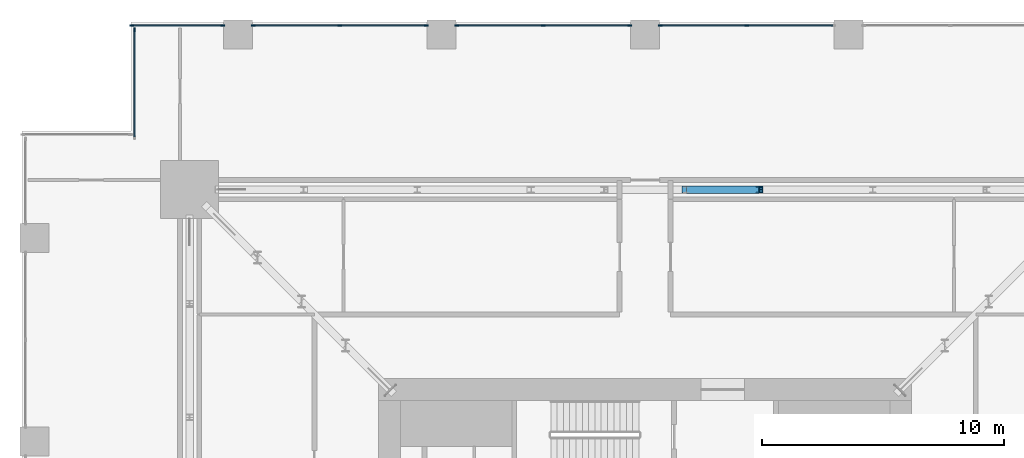
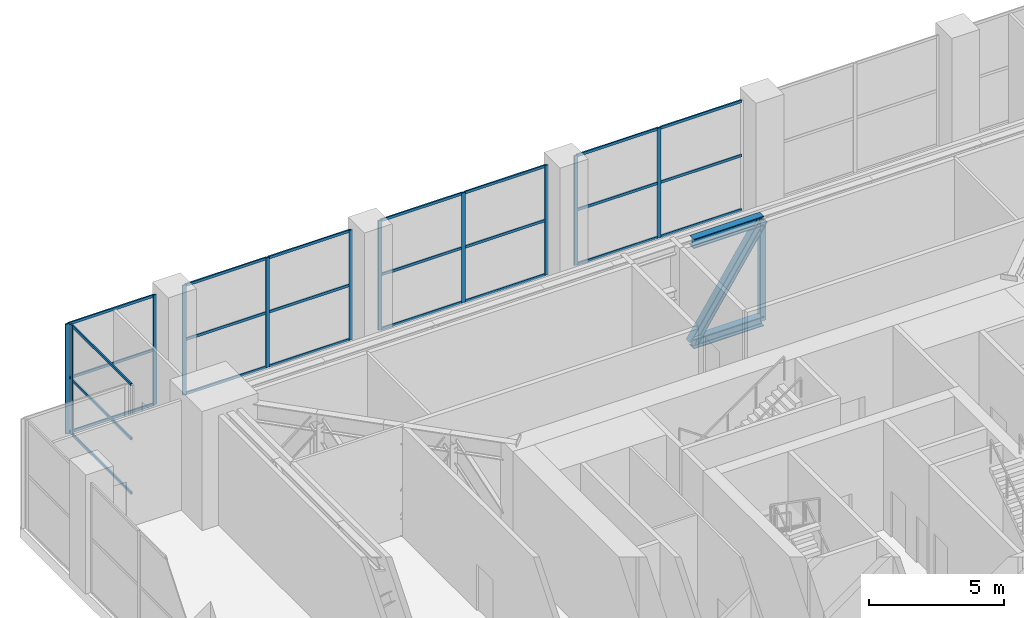
# One storey, part 8 of 21: 39 members, 5 elements without a shape of their own.
"""IFC4 building model written with IfcOpenShell, lengths in metres."""

from ifc_helpers import new_model, si_unit, direction, frame, origin, origin_2d, place, context, subcontext, project, spatial, rectangle, i_section, extrude, material, material_profile, profile_set, type_object, element, aggregate, save


model = new_model("IFC4")

# Units and contexts
model_context = context("Model", 3, precision=1e-05, world=origin(), true_north=direction((0.0, 1.0)))
body_context = subcontext(model_context, "Body", "Model", "MODEL_VIEW")
ifc_project = project(units=[si_unit("LENGTHUNIT", "METRE"), si_unit("AREAUNIT", "SQUARE_METRE"), si_unit("VOLUMEUNIT", "CUBIC_METRE"), si_unit("PLANEANGLEUNIT", "RADIAN"), si_unit("MASSUNIT", "GRAM", prefix="KILO")], contexts=[model_context])

# Site, building, storey
site_placement = place(None, origin())
site = spatial("IfcSite", under=ifc_project, at=site_placement, CompositionType="ELEMENT")
building_placement = place(site_placement, origin())
building = spatial("IfcBuilding", under=site, at=building_placement, Name="Khepri Terraces", CompositionType="ELEMENT")
storey_placement = place(building_placement, frame((0.0, 0.0, 235.199951171875)))
storey = spatial("IfcBuildingStorey", under=building, at=storey_placement, Name="L56", CompositionType="ELEMENT", Elevation=235.199951171875)

# Members
ifc_material_1 = material(Name="Steel S355", Category="steel")
ifc_material_profile_1 = material_profile(ifc_material_1, i_section(OverallWidth=0.306884765625, OverallDepth=0.431884765625, WebThickness=0.02099609375, FlangeThickness=0.0400390625, FilletRadius=0.027099609375, at=origin_2d()), Name="Steel S355", Category="steel")
ifc_profile_set_1 = profile_set([ifc_material_profile_1], Name="Steel S355")
member_type_1 = type_object("IfcMemberType", Name="Belt truss chord HEM 400", PredefinedType="CHORD", material=ifc_profile_set_1)
for number, where, z_axis, x_axis, name in (
    (1, (4.699951171875, 18.800048828125, 0.216064453125), (-1.0, 0.0, 0.0), (0.0, -1.0, 0.0), "Belt truss chord BT-56-N bottom 4"),
    (2, (4.699951171875, 18.800048828125, 4.76416015625), (-1.0, 0.0, 0.0), (0.0, -1.0, 0.0), "Belt truss chord BT-56-N top 4"),
):
    element("IfcMember", number, at=place(storey_placement, frame(where, z_axis=z_axis, x_axis=x_axis)), inside=storey, type_object=member_type_1, Name=name, PredefinedType="CHORD", context=body_context, shape_type="SweptSolid", body=[
        extrude(i_section(OverallWidth=0.306884765625, OverallDepth=0.431884765625, WebThickness=0.02099609375, FlangeThickness=0.0400390625, FilletRadius=0.027099609375, at=origin_2d()), origin(), (0.0, 0.0, 1.0), 3.0),
    ])
ifc_material_profile_2 = material_profile(ifc_material_1, i_section(OverallWidth=0.300048828125, OverallDepth=0.39990234375, WebThickness=0.013427734375, FlangeThickness=0.02392578125, FilletRadius=0.027099609375, at=origin_2d()), Name="Steel S355", Category="steel")
ifc_profile_set_2 = profile_set([ifc_material_profile_2], Name="Steel S355")
member_type_2 = type_object("IfcMemberType", Name="Belt truss diagonal HEB 400", PredefinedType="BRACE", material=ifc_profile_set_2)
member_1_placement = place(storey_placement, frame((4.699951171875, 18.800048828125, 4.76416015625), z_axis=(-0.550619327212, 0.0, -0.834756465384), x_axis=(0.0, -1.0, 0.0)))
element("IfcMember", 3, at=member_1_placement, inside=storey, type_object=member_type_2, Name="Belt truss diagonal BT-56-N 4", PredefinedType="BRACE", context=body_context, shape_type="SweptSolid", body=[
    extrude(i_section(OverallWidth=0.300048828125, OverallDepth=0.39990234375, WebThickness=0.013427734375, FlangeThickness=0.02392578125, FilletRadius=0.027099609375, at=origin_2d()), origin(), (0.0, 0.0, 1.0), 5.448486328125),
])
ifc_material_profile_3 = material_profile(ifc_material_1, i_section(OverallWidth=0.239990234375, OverallDepth=0.239990234375, WebThickness=0.010009765625, FlangeThickness=0.01708984375, FilletRadius=0.02099609375, at=origin_2d()), Name="Steel S355", Category="steel")
ifc_profile_set_3 = profile_set([ifc_material_profile_3], Name="Steel S355")
member_type_3 = type_object("IfcMemberType", Name="Belt truss post HEB 240", PredefinedType="POST", material=ifc_profile_set_3)
member_2_placement = place(storey_placement, frame((4.699951171875, 18.800048828125, 0.216064453125), z_axis=(0.0, 0.0, 1.0), x_axis=(1.0, 0.0, 0.0)))
element("IfcMember", 4, at=member_2_placement, inside=storey, type_object=member_type_3, Name="Belt truss post BT-56-N 3", PredefinedType="POST", context=body_context, shape_type="SweptSolid", body=[
    extrude(i_section(OverallWidth=0.239990234375, OverallDepth=0.239990234375, WebThickness=0.010009765625, FlangeThickness=0.01708984375, FilletRadius=0.02099609375, at=origin_2d()), origin(), (0.0, 0.0, 1.0), 4.548095703125),
])

# Curtain wall, members
ifc_material_2 = material(Name="Anodised aluminium bronze curtain wall", Category="aluminium")
curtain_wall_type = type_object("IfcCurtainWallType", Name="CW-SYS3-SKY", PredefinedType="NOTDEFINED", material=ifc_material_2)
curtain_wall_1_placement = place(storey_placement, origin())
curtain_wall_1 = element("IfcCurtainWall", 5, at=curtain_wall_1_placement, inside=storey, type_object=curtain_wall_type, Name="Curtain wall CW3 L56 N", PredefinedType="NOTDEFINED")
ifc_material_3 = material(Name="Anodised aluminium bronze", Category="aluminium")
ifc_material_profile_4 = material_profile(ifc_material_3, rectangle(XDim=0.06005859375, YDim=0.159912109375, at=origin_2d()), Name="Anodised aluminium bronze", Category="aluminium")
ifc_profile_set_4 = profile_set([ifc_material_profile_4], Name="Anodised aluminium bronze")
member_type_4 = type_object("IfcMemberType", Name="CW-MULLION-60x160", PredefinedType="MULLION", material=ifc_profile_set_4)
member_3_placement = place(storey_placement, frame((4.199951171875, 25.570068359375, 0.0), z_axis=(0.0, 0.0, 1.0), x_axis=(0.0, -1.0, 0.0)))
member_3 = element("IfcMember", 6, at=member_3_placement, type_object=member_type_4, Name="CW3 mullion 2", PredefinedType="MULLION", context=body_context, shape_type="SweptSolid", body=[
    extrude(rectangle(XDim=0.06005859375, YDim=0.159912109375, at=origin_2d()), origin(), (0.0, 0.0, 1.0), 4.97998046875),
])
member_4_placement = place(storey_placement, frame((0.6298828125, 25.570068359375, 0.0), z_axis=(0.0, 0.0, 1.0), x_axis=(0.0, -1.0, 0.0)))
member_4 = element("IfcMember", 7, at=member_4_placement, type_object=member_type_4, Name="CW3 mullion 3", PredefinedType="MULLION", context=body_context, shape_type="SweptSolid", body=[
    extrude(rectangle(XDim=0.06005859375, YDim=0.159912109375, at=origin_2d()), origin(), (0.0, 0.0, 1.0), 4.97998046875),
])

curtain_wall_2_placement = place(storey_placement, origin())
curtain_wall_2 = element("IfcCurtainWall", 8, at=curtain_wall_2_placement, inside=storey, type_object=curtain_wall_type, Name="Curtain wall CW3 L56 N", PredefinedType="NOTDEFINED")
member_5_placement = place(storey_placement, frame((-0.6298828125, 25.570068359375, 0.0), z_axis=(0.0, 0.0, 1.0), x_axis=(0.0, -1.0, 0.0)))
member_5 = element("IfcMember", 9, at=member_5_placement, type_object=member_type_4, Name="CW3 mullion 1", PredefinedType="MULLION", context=body_context, shape_type="SweptSolid", body=[
    extrude(rectangle(XDim=0.06005859375, YDim=0.159912109375, at=origin_2d()), origin(), (0.0, 0.0, 1.0), 4.97998046875),
])
member_6_placement = place(storey_placement, frame((-4.199951171875, 25.570068359375, 0.0), z_axis=(0.0, 0.0, 1.0), x_axis=(0.0, -1.0, 0.0)))
member_6 = element("IfcMember", 10, at=member_6_placement, type_object=member_type_4, Name="CW3 mullion 2", PredefinedType="MULLION", context=body_context, shape_type="SweptSolid", body=[
    extrude(rectangle(XDim=0.06005859375, YDim=0.159912109375, at=origin_2d()), origin(), (0.0, 0.0, 1.0), 4.97998046875),
])
member_7_placement = place(storey_placement, frame((-7.77001953125, 25.570068359375, 0.0), z_axis=(0.0, 0.0, 1.0), x_axis=(0.0, -1.0, 0.0)))
member_7 = element("IfcMember", 11, at=member_7_placement, type_object=member_type_4, Name="CW3 mullion 3", PredefinedType="MULLION", context=body_context, shape_type="SweptSolid", body=[
    extrude(rectangle(XDim=0.06005859375, YDim=0.159912109375, at=origin_2d()), origin(), (0.0, 0.0, 1.0), 4.97998046875),
])

curtain_wall_3_placement = place(storey_placement, origin())
curtain_wall_3 = element("IfcCurtainWall", 12, at=curtain_wall_3_placement, inside=storey, type_object=curtain_wall_type, Name="Curtain wall CW3 L56 N", PredefinedType="NOTDEFINED")
member_8_placement = place(storey_placement, frame((-9.030029296875, 25.570068359375, 0.0), z_axis=(0.0, 0.0, 1.0), x_axis=(0.0, -1.0, 0.0)))
member_8 = element("IfcMember", 13, at=member_8_placement, type_object=member_type_4, Name="CW3 mullion 1", PredefinedType="MULLION", context=body_context, shape_type="SweptSolid", body=[
    extrude(rectangle(XDim=0.06005859375, YDim=0.159912109375, at=origin_2d()), origin(), (0.0, 0.0, 1.0), 4.97998046875),
])
member_9_placement = place(storey_placement, frame((-12.60009765625, 25.570068359375, 0.0), z_axis=(0.0, 0.0, 1.0), x_axis=(0.0, -1.0, 0.0)))
member_9 = element("IfcMember", 14, at=member_9_placement, type_object=member_type_4, Name="CW3 mullion 2", PredefinedType="MULLION", context=body_context, shape_type="SweptSolid", body=[
    extrude(rectangle(XDim=0.06005859375, YDim=0.159912109375, at=origin_2d()), origin(), (0.0, 0.0, 1.0), 4.97998046875),
])
member_10_placement = place(storey_placement, frame((-16.169921875, 25.570068359375, 0.0), z_axis=(0.0, 0.0, 1.0), x_axis=(0.0, -1.0, 0.0)))
member_10 = element("IfcMember", 15, at=member_10_placement, type_object=member_type_4, Name="CW3 mullion 3", PredefinedType="MULLION", context=body_context, shape_type="SweptSolid", body=[
    extrude(rectangle(XDim=0.06005859375, YDim=0.159912109375, at=origin_2d()), origin(), (0.0, 0.0, 1.0), 4.97998046875),
])

curtain_wall_4_placement = place(storey_placement, origin())
curtain_wall_4 = element("IfcCurtainWall", 16, at=curtain_wall_4_placement, inside=storey, type_object=curtain_wall_type, Name="Curtain wall CW3 L56 N", PredefinedType="NOTDEFINED")
member_11_placement = place(storey_placement, frame((-17.429931640625, 25.570068359375, 0.0), z_axis=(0.0, 0.0, 1.0), x_axis=(0.0, -1.0, 0.0)))
member_11 = element("IfcMember", 17, at=member_11_placement, type_object=member_type_4, Name="CW3 mullion 1", PredefinedType="MULLION", context=body_context, shape_type="SweptSolid", body=[
    extrude(rectangle(XDim=0.06005859375, YDim=0.159912109375, at=origin_2d()), origin(), (0.0, 0.0, 1.0), 4.97998046875),
])
member_12_placement = place(storey_placement, frame((-21.18994140625, 25.570068359375, 0.0), z_axis=(0.0, 0.0, 1.0), x_axis=(0.0, -1.0, 0.0)))
member_12 = element("IfcMember", 18, at=member_12_placement, type_object=member_type_4, Name="CW3 mullion 2", PredefinedType="MULLION", context=body_context, shape_type="SweptSolid", body=[
    extrude(rectangle(XDim=0.06005859375, YDim=0.159912109375, at=origin_2d()), origin(), (0.0, 0.0, 1.0), 4.97998046875),
])

# Curtain wall, member
curtain_wall_5_placement = place(storey_placement, origin())
curtain_wall_5 = element("IfcCurtainWall", 19, at=curtain_wall_5_placement, inside=storey, type_object=curtain_wall_type, Name="Curtain wall CW3 L56 W", PredefinedType="NOTDEFINED")
member_13_placement = place(storey_placement, frame((-21.070068359375, 25.389892578125, 0.0), z_axis=(0.0, 0.0, 1.0), x_axis=(1.0, 0.0, 0.0)))
member_13 = element("IfcMember", 20, at=member_13_placement, type_object=member_type_4, Name="CW3 mullion 1", PredefinedType="MULLION", context=body_context, shape_type="SweptSolid", body=[
    extrude(rectangle(XDim=0.06005859375, YDim=0.159912109375, at=origin_2d()), origin(), (0.0, 0.0, 1.0), 4.97998046875),
])

# Member
ifc_material_profile_5 = material_profile(ifc_material_3, rectangle(XDim=0.06005859375, YDim=0.1201171875, at=origin_2d()), Name="Anodised aluminium bronze", Category="aluminium")
ifc_profile_set_5 = profile_set([ifc_material_profile_5], Name="Anodised aluminium bronze")
member_type_5 = type_object("IfcMemberType", Name="CW-TRANSOM-60x120", PredefinedType="USERDEFINED", material=ifc_profile_set_5)
member_14_placement = place(storey_placement, frame((7.739990234375, 25.570068359375, 0.030029296875), z_axis=(-1.0, 0.0, 0.0), x_axis=(0.0, -1.0, 0.0)))
member_14 = element("IfcMember", 21, at=member_14_placement, type_object=member_type_5, Name="CW3 transom 1.1", ObjectType="TRANSOM", PredefinedType="USERDEFINED", context=body_context, shape_type="SweptSolid", body=[
    extrude(rectangle(XDim=0.06005859375, YDim=0.1201171875, at=origin_2d()), origin(), (0.0, 0.0, 1.0), 3.510009765625),
])

member_15_placement = place(storey_placement, frame((7.739990234375, 25.570068359375, 2.489990234375), z_axis=(-1.0, 0.0, 0.0), x_axis=(0.0, -1.0, 0.0)))
member_15 = element("IfcMember", 22, at=member_15_placement, type_object=member_type_5, Name="CW3 transom 1.2", ObjectType="TRANSOM", PredefinedType="USERDEFINED", context=body_context, shape_type="SweptSolid", body=[
    extrude(rectangle(XDim=0.06005859375, YDim=0.1201171875, at=origin_2d()), origin(), (0.0, 0.0, 1.0), 3.510009765625),
])

member_16_placement = place(storey_placement, frame((7.739990234375, 25.570068359375, 4.949951171875), z_axis=(-1.0, 0.0, 0.0), x_axis=(0.0, -1.0, 0.0)))
member_16 = element("IfcMember", 23, at=member_16_placement, type_object=member_type_5, Name="CW3 transom 1.3", ObjectType="TRANSOM", PredefinedType="USERDEFINED", context=body_context, shape_type="SweptSolid", body=[
    extrude(rectangle(XDim=0.06005859375, YDim=0.1201171875, at=origin_2d()), origin(), (0.0, 0.0, 1.0), 3.510009765625),
])

member_17_placement = place(storey_placement, frame((4.169921875, 25.570068359375, 0.030029296875), z_axis=(-1.0, 0.0, 0.0), x_axis=(0.0, -1.0, 0.0)))
member_17 = element("IfcMember", 24, at=member_17_placement, type_object=member_type_5, Name="CW3 transom 2.1", ObjectType="TRANSOM", PredefinedType="USERDEFINED", context=body_context, shape_type="SweptSolid", body=[
    extrude(rectangle(XDim=0.06005859375, YDim=0.1201171875, at=origin_2d()), origin(), (0.0, 0.0, 1.0), 3.510009765625),
])

member_18_placement = place(storey_placement, frame((4.169921875, 25.570068359375, 2.489990234375), z_axis=(-1.0, 0.0, 0.0), x_axis=(0.0, -1.0, 0.0)))
member_18 = element("IfcMember", 25, at=member_18_placement, type_object=member_type_5, Name="CW3 transom 2.2", ObjectType="TRANSOM", PredefinedType="USERDEFINED", context=body_context, shape_type="SweptSolid", body=[
    extrude(rectangle(XDim=0.06005859375, YDim=0.1201171875, at=origin_2d()), origin(), (0.0, 0.0, 1.0), 3.510009765625),
])

member_19_placement = place(storey_placement, frame((4.169921875, 25.570068359375, 4.949951171875), z_axis=(-1.0, 0.0, 0.0), x_axis=(0.0, -1.0, 0.0)))
member_19 = element("IfcMember", 26, at=member_19_placement, type_object=member_type_5, Name="CW3 transom 2.3", ObjectType="TRANSOM", PredefinedType="USERDEFINED", context=body_context, shape_type="SweptSolid", body=[
    extrude(rectangle(XDim=0.06005859375, YDim=0.1201171875, at=origin_2d()), origin(), (0.0, 0.0, 1.0), 3.510009765625),
])

aggregate(curtain_wall_1, [member_3, member_4, member_14, member_15, member_16, member_17, member_18, member_19])

member_20_placement = place(storey_placement, frame((-0.659912109375, 25.570068359375, 0.030029296875), z_axis=(-1.0, 0.0, 0.0), x_axis=(0.0, -1.0, 0.0)))
member_20 = element("IfcMember", 27, at=member_20_placement, type_object=member_type_5, Name="CW3 transom 1.1", ObjectType="TRANSOM", PredefinedType="USERDEFINED", context=body_context, shape_type="SweptSolid", body=[
    extrude(rectangle(XDim=0.06005859375, YDim=0.1201171875, at=origin_2d()), origin(), (0.0, 0.0, 1.0), 3.510009765625),
])

member_21_placement = place(storey_placement, frame((-0.659912109375, 25.570068359375, 2.489990234375), z_axis=(-1.0, 0.0, 0.0), x_axis=(0.0, -1.0, 0.0)))
member_21 = element("IfcMember", 28, at=member_21_placement, type_object=member_type_5, Name="CW3 transom 1.2", ObjectType="TRANSOM", PredefinedType="USERDEFINED", context=body_context, shape_type="SweptSolid", body=[
    extrude(rectangle(XDim=0.06005859375, YDim=0.1201171875, at=origin_2d()), origin(), (0.0, 0.0, 1.0), 3.510009765625),
])

member_22_placement = place(storey_placement, frame((-0.659912109375, 25.570068359375, 4.949951171875), z_axis=(-1.0, 0.0, 0.0), x_axis=(0.0, -1.0, 0.0)))
member_22 = element("IfcMember", 29, at=member_22_placement, type_object=member_type_5, Name="CW3 transom 1.3", ObjectType="TRANSOM", PredefinedType="USERDEFINED", context=body_context, shape_type="SweptSolid", body=[
    extrude(rectangle(XDim=0.06005859375, YDim=0.1201171875, at=origin_2d()), origin(), (0.0, 0.0, 1.0), 3.510009765625),
])

member_23_placement = place(storey_placement, frame((-4.22998046875, 25.570068359375, 0.030029296875), z_axis=(-1.0, 0.0, 0.0), x_axis=(0.0, -1.0, 0.0)))
member_23 = element("IfcMember", 30, at=member_23_placement, type_object=member_type_5, Name="CW3 transom 2.1", ObjectType="TRANSOM", PredefinedType="USERDEFINED", context=body_context, shape_type="SweptSolid", body=[
    extrude(rectangle(XDim=0.06005859375, YDim=0.1201171875, at=origin_2d()), origin(), (0.0, 0.0, 1.0), 3.510009765625),
])

member_24_placement = place(storey_placement, frame((-4.22998046875, 25.570068359375, 2.489990234375), z_axis=(-1.0, 0.0, 0.0), x_axis=(0.0, -1.0, 0.0)))
member_24 = element("IfcMember", 31, at=member_24_placement, type_object=member_type_5, Name="CW3 transom 2.2", ObjectType="TRANSOM", PredefinedType="USERDEFINED", context=body_context, shape_type="SweptSolid", body=[
    extrude(rectangle(XDim=0.06005859375, YDim=0.1201171875, at=origin_2d()), origin(), (0.0, 0.0, 1.0), 3.510009765625),
])

member_25_placement = place(storey_placement, frame((-4.22998046875, 25.570068359375, 4.949951171875), z_axis=(-1.0, 0.0, 0.0), x_axis=(0.0, -1.0, 0.0)))
member_25 = element("IfcMember", 32, at=member_25_placement, type_object=member_type_5, Name="CW3 transom 2.3", ObjectType="TRANSOM", PredefinedType="USERDEFINED", context=body_context, shape_type="SweptSolid", body=[
    extrude(rectangle(XDim=0.06005859375, YDim=0.1201171875, at=origin_2d()), origin(), (0.0, 0.0, 1.0), 3.510009765625),
])

aggregate(curtain_wall_2, [member_5, member_6, member_7, member_20, member_21, member_22, member_23, member_24, member_25])

member_26_placement = place(storey_placement, frame((-9.06005859375, 25.570068359375, 0.030029296875), z_axis=(-1.0, 0.0, 0.0), x_axis=(0.0, -1.0, 0.0)))
member_26 = element("IfcMember", 33, at=member_26_placement, type_object=member_type_5, Name="CW3 transom 1.1", ObjectType="TRANSOM", PredefinedType="USERDEFINED", context=body_context, shape_type="SweptSolid", body=[
    extrude(rectangle(XDim=0.06005859375, YDim=0.1201171875, at=origin_2d()), origin(), (0.0, 0.0, 1.0), 3.510009765625),
])

member_27_placement = place(storey_placement, frame((-9.06005859375, 25.570068359375, 2.489990234375), z_axis=(-1.0, 0.0, 0.0), x_axis=(0.0, -1.0, 0.0)))
member_27 = element("IfcMember", 34, at=member_27_placement, type_object=member_type_5, Name="CW3 transom 1.2", ObjectType="TRANSOM", PredefinedType="USERDEFINED", context=body_context, shape_type="SweptSolid", body=[
    extrude(rectangle(XDim=0.06005859375, YDim=0.1201171875, at=origin_2d()), origin(), (0.0, 0.0, 1.0), 3.510009765625),
])

member_28_placement = place(storey_placement, frame((-9.06005859375, 25.570068359375, 4.949951171875), z_axis=(-1.0, 0.0, 0.0), x_axis=(0.0, -1.0, 0.0)))
member_28 = element("IfcMember", 35, at=member_28_placement, type_object=member_type_5, Name="CW3 transom 1.3", ObjectType="TRANSOM", PredefinedType="USERDEFINED", context=body_context, shape_type="SweptSolid", body=[
    extrude(rectangle(XDim=0.06005859375, YDim=0.1201171875, at=origin_2d()), origin(), (0.0, 0.0, 1.0), 3.510009765625),
])

member_29_placement = place(storey_placement, frame((-12.6298828125, 25.570068359375, 0.030029296875), z_axis=(-1.0, 0.0, 0.0), x_axis=(0.0, -1.0, 0.0)))
member_29 = element("IfcMember", 36, at=member_29_placement, type_object=member_type_5, Name="CW3 transom 2.1", ObjectType="TRANSOM", PredefinedType="USERDEFINED", context=body_context, shape_type="SweptSolid", body=[
    extrude(rectangle(XDim=0.06005859375, YDim=0.1201171875, at=origin_2d()), origin(), (0.0, 0.0, 1.0), 3.510009765625),
])

member_30_placement = place(storey_placement, frame((-12.6298828125, 25.570068359375, 2.489990234375), z_axis=(-1.0, 0.0, 0.0), x_axis=(0.0, -1.0, 0.0)))
member_30 = element("IfcMember", 37, at=member_30_placement, type_object=member_type_5, Name="CW3 transom 2.2", ObjectType="TRANSOM", PredefinedType="USERDEFINED", context=body_context, shape_type="SweptSolid", body=[
    extrude(rectangle(XDim=0.06005859375, YDim=0.1201171875, at=origin_2d()), origin(), (0.0, 0.0, 1.0), 3.510009765625),
])

member_31_placement = place(storey_placement, frame((-12.6298828125, 25.570068359375, 4.949951171875), z_axis=(-1.0, 0.0, 0.0), x_axis=(0.0, -1.0, 0.0)))
member_31 = element("IfcMember", 38, at=member_31_placement, type_object=member_type_5, Name="CW3 transom 2.3", ObjectType="TRANSOM", PredefinedType="USERDEFINED", context=body_context, shape_type="SweptSolid", body=[
    extrude(rectangle(XDim=0.06005859375, YDim=0.1201171875, at=origin_2d()), origin(), (0.0, 0.0, 1.0), 3.510009765625),
])

aggregate(curtain_wall_3, [member_8, member_9, member_10, member_26, member_27, member_28, member_29, member_30, member_31])

member_32_placement = place(storey_placement, frame((-17.4599609375, 25.570068359375, 0.030029296875), z_axis=(-1.0, 0.0, 0.0), x_axis=(0.0, -1.0, 0.0)))
member_32 = element("IfcMember", 39, at=member_32_placement, type_object=member_type_5, Name="CW3 transom 1.1", ObjectType="TRANSOM", PredefinedType="USERDEFINED", context=body_context, shape_type="SweptSolid", body=[
    extrude(rectangle(XDim=0.06005859375, YDim=0.1201171875, at=origin_2d()), origin(), (0.0, 0.0, 1.0), 3.699951171875),
])

member_33_placement = place(storey_placement, frame((-17.4599609375, 25.570068359375, 2.489990234375), z_axis=(-1.0, 0.0, 0.0), x_axis=(0.0, -1.0, 0.0)))
member_33 = element("IfcMember", 40, at=member_33_placement, type_object=member_type_5, Name="CW3 transom 1.2", ObjectType="TRANSOM", PredefinedType="USERDEFINED", context=body_context, shape_type="SweptSolid", body=[
    extrude(rectangle(XDim=0.06005859375, YDim=0.1201171875, at=origin_2d()), origin(), (0.0, 0.0, 1.0), 3.699951171875),
])

member_34_placement = place(storey_placement, frame((-17.4599609375, 25.570068359375, 4.949951171875), z_axis=(-1.0, 0.0, 0.0), x_axis=(0.0, -1.0, 0.0)))
member_34 = element("IfcMember", 41, at=member_34_placement, type_object=member_type_5, Name="CW3 transom 1.3", ObjectType="TRANSOM", PredefinedType="USERDEFINED", context=body_context, shape_type="SweptSolid", body=[
    extrude(rectangle(XDim=0.06005859375, YDim=0.1201171875, at=origin_2d()), origin(), (0.0, 0.0, 1.0), 3.699951171875),
])

aggregate(curtain_wall_4, [member_11, member_12, member_32, member_33, member_34])

member_35_placement = place(storey_placement, frame((-21.070068359375, 25.360107421875, 0.030029296875), z_axis=(0.0, -1.0, 0.0), x_axis=(1.0, 0.0, 0.0)))
member_35 = element("IfcMember", 42, at=member_35_placement, type_object=member_type_5, Name="CW3 transom 1.1", ObjectType="TRANSOM", PredefinedType="USERDEFINED", context=body_context, shape_type="SweptSolid", body=[
    extrude(rectangle(XDim=0.06005859375, YDim=0.1201171875, at=origin_2d()), origin(), (0.0, 0.0, 1.0), 4.380126953125),
])

member_36_placement = place(storey_placement, frame((-21.070068359375, 25.360107421875, 2.489990234375), z_axis=(0.0, -1.0, 0.0), x_axis=(1.0, 0.0, 0.0)))
member_36 = element("IfcMember", 43, at=member_36_placement, type_object=member_type_5, Name="CW3 transom 1.2", ObjectType="TRANSOM", PredefinedType="USERDEFINED", context=body_context, shape_type="SweptSolid", body=[
    extrude(rectangle(XDim=0.06005859375, YDim=0.1201171875, at=origin_2d()), origin(), (0.0, 0.0, 1.0), 4.380126953125),
])

member_37_placement = place(storey_placement, frame((-21.070068359375, 25.360107421875, 4.949951171875), z_axis=(0.0, -1.0, 0.0), x_axis=(1.0, 0.0, 0.0)))
member_37 = element("IfcMember", 44, at=member_37_placement, type_object=member_type_5, Name="CW3 transom 1.3", ObjectType="TRANSOM", PredefinedType="USERDEFINED", context=body_context, shape_type="SweptSolid", body=[
    extrude(rectangle(XDim=0.06005859375, YDim=0.1201171875, at=origin_2d()), origin(), (0.0, 0.0, 1.0), 4.380126953125),
])

aggregate(curtain_wall_5, [member_13, member_35, member_36, member_37])

save(model, "model.ifc")
